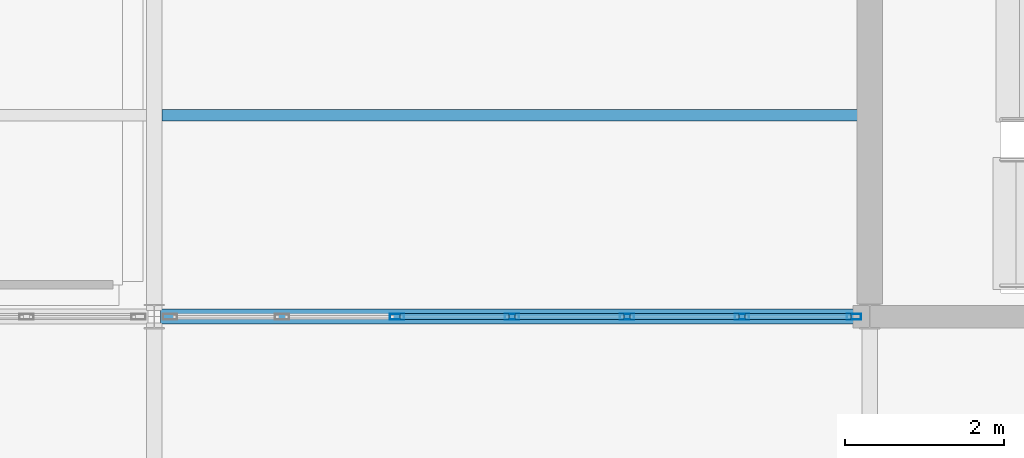
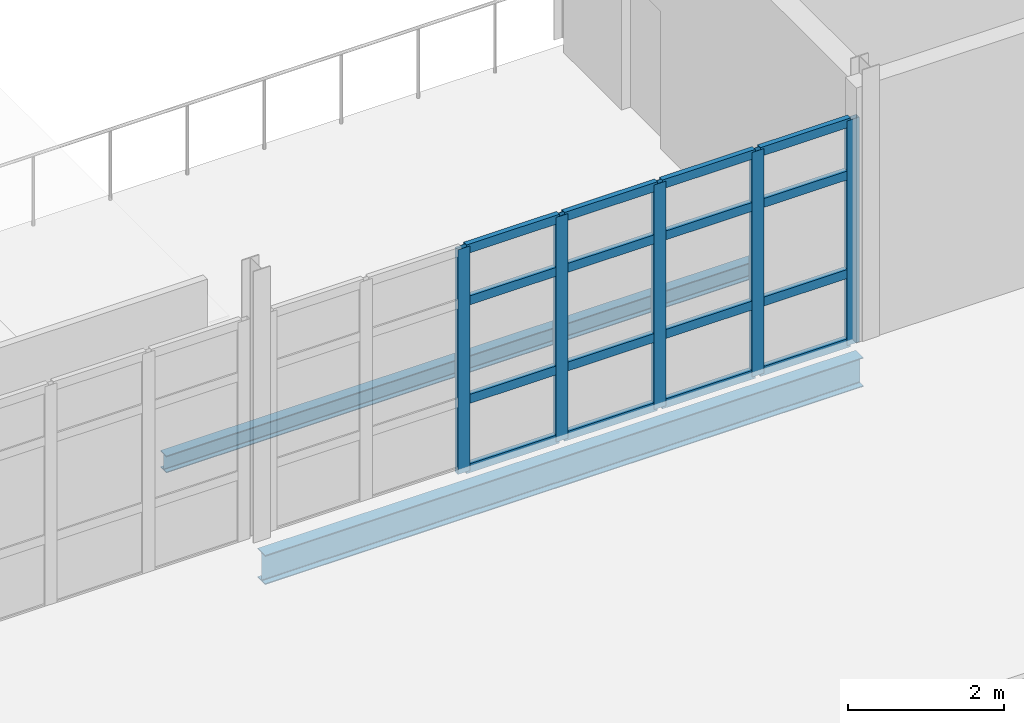
# One storey, part 56 of 96: 21 members, 2 beams, 1 element without a shape of its own.
"""IFC4 building model written with IfcOpenShell, lengths in metres."""

from ifc_helpers import new_model, si_unit, direction, frame, origin, origin_2d, place, context, subcontext, project, spatial, hollow_rectangle, i_section, extrude, material, material_profile, profile_set, type_object, element, aggregate, save


model = new_model("IFC4")

# Units and contexts
model_context = context("Model", 3, precision=1e-05, world=origin(), true_north=direction((0.0, 1.0)))
body_context = subcontext(model_context, "Body", "Model", "MODEL_VIEW")
ifc_project = project(units=[si_unit("LENGTHUNIT", "METRE"), si_unit("AREAUNIT", "SQUARE_METRE"), si_unit("VOLUMEUNIT", "CUBIC_METRE"), si_unit("PLANEANGLEUNIT", "RADIAN"), si_unit("MASSUNIT", "GRAM", prefix="KILO")], contexts=[model_context])

# Site, building, storey
site_placement = place(None, origin())
site = spatial("IfcSite", under=ifc_project, at=site_placement, CompositionType="ELEMENT")
building_placement = place(site_placement, origin())
building = spatial("IfcBuilding", under=site, at=building_placement, Name="Caisbarro Railhouse Central Library", CompositionType="ELEMENT")
storey_placement = place(building_placement, frame((0.0, 0.0, 13.679931640625)))
storey = spatial("IfcBuildingStorey", under=building, at=storey_placement, Name="L03", CompositionType="ELEMENT", Elevation=13.679931640625)

# Beams
ifc_material_1 = material(Name="Steel ASTM A572 Grade 50", Category="steel")
ifc_material_profile_1 = material_profile(ifc_material_1, i_section(OverallWidth=0.14794921875, OverallDepth=0.26611328125, WebThickness=0.007568359375, FlangeThickness=0.012939453125, FilletRadius=0.010009765625, at=origin_2d()), Name="W250X44.8")
ifc_profile_set_1 = profile_set([ifc_material_profile_1], Name="Steel ASTM A572 Grade 50")
beam_type_1 = type_object("IfcBeamType", Name="BM-J04", PredefinedType="JOIST", material=ifc_profile_set_1)
beam_1_placement = place(storey_placement, frame((126.094970703125, 70.933349609375, -0.35302734375), z_axis=(1.0, 0.0, 0.0), x_axis=(0.0, 1.0, 0.0)))
element("IfcBeam", 1, at=beam_1_placement, inside=storey, type_object=beam_type_1, Name="J04 beam L03 #1921", PredefinedType="JOIST", context=body_context, shape_type="SweptSolid", body=[
    extrude(i_section(OverallWidth=0.14794921875, OverallDepth=0.26611328125, WebThickness=0.007568359375, FlangeThickness=0.012939453125, FilletRadius=0.010009765625, at=origin_2d()), origin(), (0.0, 0.0, 1.0), 8.81005859375),
])
ifc_material_profile_2 = material_profile(ifc_material_1, i_section(OverallWidth=0.18994140625, OverallDepth=0.45703125, WebThickness=0.009033203125, FlangeThickness=0.014404296875, FilletRadius=0.01806640625, at=origin_2d()), Name="W460X74.0")
ifc_profile_set_2 = profile_set([ifc_material_profile_2], Name="Steel ASTM A572 Grade 50")
beam_type_2 = type_object("IfcBeamType", Name="BM-SP01", PredefinedType="SPANDREL", material=ifc_profile_set_2)
beam_2_placement = place(storey_placement, frame((126.080078125, 68.39990234375, -0.448486328125), z_axis=(1.0, 0.0, 0.0), x_axis=(0.0, 1.0, 0.0)))
element("IfcBeam", 2, at=beam_2_placement, inside=storey, type_object=beam_type_2, Name="SP01 beam L03 #1856", PredefinedType="SPANDREL", context=body_context, shape_type="SweptSolid", body=[
    extrude(i_section(OverallWidth=0.18994140625, OverallDepth=0.45703125, WebThickness=0.009033203125, FlangeThickness=0.014404296875, FilletRadius=0.01806640625, at=origin_2d()), origin(), (0.0, 0.0, 1.0), 8.83984375),
])

# Curtain wall, members
ifc_material_2 = material(Name="Anodised architectural aluminium", Category="aluminium")
curtain_wall_type = type_object("IfcCurtainWallType", Name="CW-CW02", PredefinedType="NOTDEFINED", material=ifc_material_2)
curtain_wall_placement = place(storey_placement, origin())
curtain_wall = element("IfcCurtainWall", 3, at=curtain_wall_placement, inside=storey, type_object=curtain_wall_type, Name="CW02 curtain wall L03 #149", PredefinedType="NOTDEFINED")
ifc_material_profile_3 = material_profile(ifc_material_2, hollow_rectangle(XDim=0.074951171875, YDim=0.179931640625, WallThickness=0.00439453125, at=origin_2d()), Name="ALU-MUL-75X180")
ifc_profile_set_3 = profile_set([ifc_material_profile_3], Name="Anodised architectural aluminium")
member_type_1 = type_object("IfcMemberType", Name="CWM-M01", PredefinedType="MULLION", material=ifc_profile_set_3)
member_1_placement = place(storey_placement, frame((129.05322265625, 68.39990234375, 0.0), z_axis=(0.0, 0.0, 1.0), x_axis=(0.0, 1.0, 0.0)))
member_1 = element("IfcMember", 4, at=member_1_placement, type_object=member_type_1, Name="CW02 mullion 3", PredefinedType="MULLION", context=body_context, shape_type="SweptSolid", body=[
    extrude(hollow_rectangle(XDim=0.074951171875, YDim=0.179931640625, WallThickness=0.00439453125, at=origin_2d()), origin(), (0.0, 0.0, 1.0), 3.510009765625),
])
member_2_placement = place(storey_placement, frame((130.5, 68.39990234375, 0.0), z_axis=(0.0, 0.0, 1.0), x_axis=(0.0, 1.0, 0.0)))
member_2 = element("IfcMember", 5, at=member_2_placement, type_object=member_type_1, Name="CW02 mullion 4", PredefinedType="MULLION", context=body_context, shape_type="SweptSolid", body=[
    extrude(hollow_rectangle(XDim=0.074951171875, YDim=0.179931640625, WallThickness=0.00439453125, at=origin_2d()), origin(), (0.0, 0.0, 1.0), 3.510009765625),
])
member_3_placement = place(storey_placement, frame((131.94677734375, 68.39990234375, 0.0), z_axis=(0.0, 0.0, 1.0), x_axis=(0.0, 1.0, 0.0)))
member_3 = element("IfcMember", 6, at=member_3_placement, type_object=member_type_1, Name="CW02 mullion 5", PredefinedType="MULLION", context=body_context, shape_type="SweptSolid", body=[
    extrude(hollow_rectangle(XDim=0.074951171875, YDim=0.179931640625, WallThickness=0.00439453125, at=origin_2d()), origin(), (0.0, 0.0, 1.0), 3.510009765625),
])
member_4_placement = place(storey_placement, frame((133.393310546875, 68.39990234375, 0.0), z_axis=(0.0, 0.0, 1.0), x_axis=(0.0, 1.0, 0.0)))
member_4 = element("IfcMember", 7, at=member_4_placement, type_object=member_type_1, Name="CW02 mullion 6", PredefinedType="MULLION", context=body_context, shape_type="SweptSolid", body=[
    extrude(hollow_rectangle(XDim=0.074951171875, YDim=0.179931640625, WallThickness=0.00439453125, at=origin_2d()), origin(), (0.0, 0.0, 1.0), 3.510009765625),
])
member_5_placement = place(storey_placement, frame((134.802490234375, 68.39990234375, 0.0), z_axis=(0.0, 0.0, 1.0), x_axis=(0.0, 1.0, 0.0)))
member_5 = element("IfcMember", 8, at=member_5_placement, type_object=member_type_1, Name="CW02 mullion 7", PredefinedType="MULLION", context=body_context, shape_type="SweptSolid", body=[
    extrude(hollow_rectangle(XDim=0.074951171875, YDim=0.179931640625, WallThickness=0.00439453125, at=origin_2d()), origin(), (0.0, 0.0, 1.0), 3.510009765625),
])
ifc_material_profile_4 = material_profile(ifc_material_2, hollow_rectangle(XDim=0.074951171875, YDim=0.139892578125, WallThickness=0.00390625, at=origin_2d()), Name="ALU-TRN-75X140")
ifc_profile_set_4 = profile_set([ifc_material_profile_4], Name="Anodised architectural aluminium")
member_type_2 = type_object("IfcMemberType", Name="CWT-T01", PredefinedType="USERDEFINED", material=ifc_profile_set_4)
member_6_placement = place(storey_placement, frame((129.0908203125, 68.39990234375, 0.03759765625), z_axis=(1.0, 0.0, 0.0), x_axis=(0.0, 1.0, 0.0)))
member_6 = element("IfcMember", 9, at=member_6_placement, type_object=member_type_2, Name="CW02 transom 3.1", ObjectType="TRANSOM", PredefinedType="USERDEFINED", context=body_context, shape_type="SweptSolid", body=[
    extrude(hollow_rectangle(XDim=0.074951171875, YDim=0.139892578125, WallThickness=0.00390625, at=origin_2d()), origin(), (0.0, 0.0, 1.0), 1.37158203125),
])
member_7_placement = place(storey_placement, frame((129.0908203125, 68.39990234375, 1.1201171875), z_axis=(1.0, 0.0, 0.0), x_axis=(0.0, 1.0, 0.0)))
member_7 = element("IfcMember", 10, at=member_7_placement, type_object=member_type_2, Name="CW02 transom 3.2", ObjectType="TRANSOM", PredefinedType="USERDEFINED", context=body_context, shape_type="SweptSolid", body=[
    extrude(hollow_rectangle(XDim=0.074951171875, YDim=0.139892578125, WallThickness=0.00390625, at=origin_2d()), origin(), (0.0, 0.0, 1.0), 1.37158203125),
])
member_8_placement = place(storey_placement, frame((129.0908203125, 68.39990234375, 2.66015625), z_axis=(1.0, 0.0, 0.0), x_axis=(0.0, 1.0, 0.0)))
member_8 = element("IfcMember", 11, at=member_8_placement, type_object=member_type_2, Name="CW02 transom 3.3", ObjectType="TRANSOM", PredefinedType="USERDEFINED", context=body_context, shape_type="SweptSolid", body=[
    extrude(hollow_rectangle(XDim=0.074951171875, YDim=0.139892578125, WallThickness=0.00390625, at=origin_2d()), origin(), (0.0, 0.0, 1.0), 1.37158203125),
])
member_9_placement = place(storey_placement, frame((129.0908203125, 68.39990234375, 3.47265625), z_axis=(1.0, 0.0, 0.0), x_axis=(0.0, 1.0, 0.0)))
member_9 = element("IfcMember", 12, at=member_9_placement, type_object=member_type_2, Name="CW02 transom 3.4", ObjectType="TRANSOM", PredefinedType="USERDEFINED", context=body_context, shape_type="SweptSolid", body=[
    extrude(hollow_rectangle(XDim=0.074951171875, YDim=0.139892578125, WallThickness=0.00390625, at=origin_2d()), origin(), (0.0, 0.0, 1.0), 1.37158203125),
])
member_10_placement = place(storey_placement, frame((130.53759765625, 68.39990234375, 0.03759765625), z_axis=(1.0, 0.0, 0.0), x_axis=(0.0, 1.0, 0.0)))
member_10 = element("IfcMember", 13, at=member_10_placement, type_object=member_type_2, Name="CW02 transom 4.1", ObjectType="TRANSOM", PredefinedType="USERDEFINED", context=body_context, shape_type="SweptSolid", body=[
    extrude(hollow_rectangle(XDim=0.074951171875, YDim=0.139892578125, WallThickness=0.00390625, at=origin_2d()), origin(), (0.0, 0.0, 1.0), 1.37158203125),
])
member_11_placement = place(storey_placement, frame((130.53759765625, 68.39990234375, 1.1201171875), z_axis=(1.0, 0.0, 0.0), x_axis=(0.0, 1.0, 0.0)))
member_11 = element("IfcMember", 14, at=member_11_placement, type_object=member_type_2, Name="CW02 transom 4.2", ObjectType="TRANSOM", PredefinedType="USERDEFINED", context=body_context, shape_type="SweptSolid", body=[
    extrude(hollow_rectangle(XDim=0.074951171875, YDim=0.139892578125, WallThickness=0.00390625, at=origin_2d()), origin(), (0.0, 0.0, 1.0), 1.37158203125),
])
member_12_placement = place(storey_placement, frame((130.53759765625, 68.39990234375, 2.66015625), z_axis=(1.0, 0.0, 0.0), x_axis=(0.0, 1.0, 0.0)))
member_12 = element("IfcMember", 15, at=member_12_placement, type_object=member_type_2, Name="CW02 transom 4.3", ObjectType="TRANSOM", PredefinedType="USERDEFINED", context=body_context, shape_type="SweptSolid", body=[
    extrude(hollow_rectangle(XDim=0.074951171875, YDim=0.139892578125, WallThickness=0.00390625, at=origin_2d()), origin(), (0.0, 0.0, 1.0), 1.37158203125),
])
member_13_placement = place(storey_placement, frame((130.53759765625, 68.39990234375, 3.47265625), z_axis=(1.0, 0.0, 0.0), x_axis=(0.0, 1.0, 0.0)))
member_13 = element("IfcMember", 16, at=member_13_placement, type_object=member_type_2, Name="CW02 transom 4.4", ObjectType="TRANSOM", PredefinedType="USERDEFINED", context=body_context, shape_type="SweptSolid", body=[
    extrude(hollow_rectangle(XDim=0.074951171875, YDim=0.139892578125, WallThickness=0.00390625, at=origin_2d()), origin(), (0.0, 0.0, 1.0), 1.37158203125),
])
member_14_placement = place(storey_placement, frame((131.984130859375, 68.39990234375, 0.03759765625), z_axis=(1.0, 0.0, 0.0), x_axis=(0.0, 1.0, 0.0)))
member_14 = element("IfcMember", 17, at=member_14_placement, type_object=member_type_2, Name="CW02 transom 5.1", ObjectType="TRANSOM", PredefinedType="USERDEFINED", context=body_context, shape_type="SweptSolid", body=[
    extrude(hollow_rectangle(XDim=0.074951171875, YDim=0.139892578125, WallThickness=0.00390625, at=origin_2d()), origin(), (0.0, 0.0, 1.0), 1.37158203125),
])
member_15_placement = place(storey_placement, frame((131.984130859375, 68.39990234375, 1.1201171875), z_axis=(1.0, 0.0, 0.0), x_axis=(0.0, 1.0, 0.0)))
member_15 = element("IfcMember", 18, at=member_15_placement, type_object=member_type_2, Name="CW02 transom 5.2", ObjectType="TRANSOM", PredefinedType="USERDEFINED", context=body_context, shape_type="SweptSolid", body=[
    extrude(hollow_rectangle(XDim=0.074951171875, YDim=0.139892578125, WallThickness=0.00390625, at=origin_2d()), origin(), (0.0, 0.0, 1.0), 1.37158203125),
])
member_16_placement = place(storey_placement, frame((131.984130859375, 68.39990234375, 2.66015625), z_axis=(1.0, 0.0, 0.0), x_axis=(0.0, 1.0, 0.0)))
member_16 = element("IfcMember", 19, at=member_16_placement, type_object=member_type_2, Name="CW02 transom 5.3", ObjectType="TRANSOM", PredefinedType="USERDEFINED", context=body_context, shape_type="SweptSolid", body=[
    extrude(hollow_rectangle(XDim=0.074951171875, YDim=0.139892578125, WallThickness=0.00390625, at=origin_2d()), origin(), (0.0, 0.0, 1.0), 1.37158203125),
])
member_17_placement = place(storey_placement, frame((131.984130859375, 68.39990234375, 3.47265625), z_axis=(1.0, 0.0, 0.0), x_axis=(0.0, 1.0, 0.0)))
member_17 = element("IfcMember", 20, at=member_17_placement, type_object=member_type_2, Name="CW02 transom 5.4", ObjectType="TRANSOM", PredefinedType="USERDEFINED", context=body_context, shape_type="SweptSolid", body=[
    extrude(hollow_rectangle(XDim=0.074951171875, YDim=0.139892578125, WallThickness=0.00390625, at=origin_2d()), origin(), (0.0, 0.0, 1.0), 1.37158203125),
])
member_18_placement = place(storey_placement, frame((133.430908203125, 68.39990234375, 0.03759765625), z_axis=(1.0, 0.0, 0.0), x_axis=(0.0, 1.0, 0.0)))
member_18 = element("IfcMember", 21, at=member_18_placement, type_object=member_type_2, Name="CW02 transom 6.1", ObjectType="TRANSOM", PredefinedType="USERDEFINED", context=body_context, shape_type="SweptSolid", body=[
    extrude(hollow_rectangle(XDim=0.074951171875, YDim=0.139892578125, WallThickness=0.00390625, at=origin_2d()), origin(), (0.0, 0.0, 1.0), 1.333984375),
])
member_19_placement = place(storey_placement, frame((133.430908203125, 68.39990234375, 1.1201171875), z_axis=(1.0, 0.0, 0.0), x_axis=(0.0, 1.0, 0.0)))
member_19 = element("IfcMember", 22, at=member_19_placement, type_object=member_type_2, Name="CW02 transom 6.2", ObjectType="TRANSOM", PredefinedType="USERDEFINED", context=body_context, shape_type="SweptSolid", body=[
    extrude(hollow_rectangle(XDim=0.074951171875, YDim=0.139892578125, WallThickness=0.00390625, at=origin_2d()), origin(), (0.0, 0.0, 1.0), 1.333984375),
])
member_20_placement = place(storey_placement, frame((133.430908203125, 68.39990234375, 2.66015625), z_axis=(1.0, 0.0, 0.0), x_axis=(0.0, 1.0, 0.0)))
member_20 = element("IfcMember", 23, at=member_20_placement, type_object=member_type_2, Name="CW02 transom 6.3", ObjectType="TRANSOM", PredefinedType="USERDEFINED", context=body_context, shape_type="SweptSolid", body=[
    extrude(hollow_rectangle(XDim=0.074951171875, YDim=0.139892578125, WallThickness=0.00390625, at=origin_2d()), origin(), (0.0, 0.0, 1.0), 1.333984375),
])
member_21_placement = place(storey_placement, frame((133.430908203125, 68.39990234375, 3.47265625), z_axis=(1.0, 0.0, 0.0), x_axis=(0.0, 1.0, 0.0)))
member_21 = element("IfcMember", 24, at=member_21_placement, type_object=member_type_2, Name="CW02 transom 6.4", ObjectType="TRANSOM", PredefinedType="USERDEFINED", context=body_context, shape_type="SweptSolid", body=[
    extrude(hollow_rectangle(XDim=0.074951171875, YDim=0.139892578125, WallThickness=0.00390625, at=origin_2d()), origin(), (0.0, 0.0, 1.0), 1.333984375),
])
aggregate(curtain_wall, [member_1, member_2, member_3, member_4, member_5, member_6, member_7, member_8, member_9, member_10, member_11, member_12, member_13, member_14, member_15, member_16, member_17, member_18, member_19, member_20, member_21])

save(model, "model.ifc")
